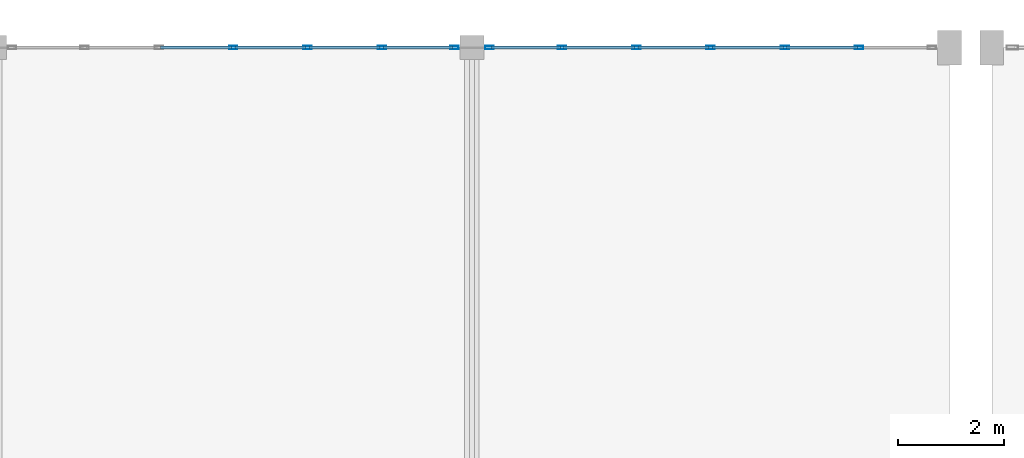
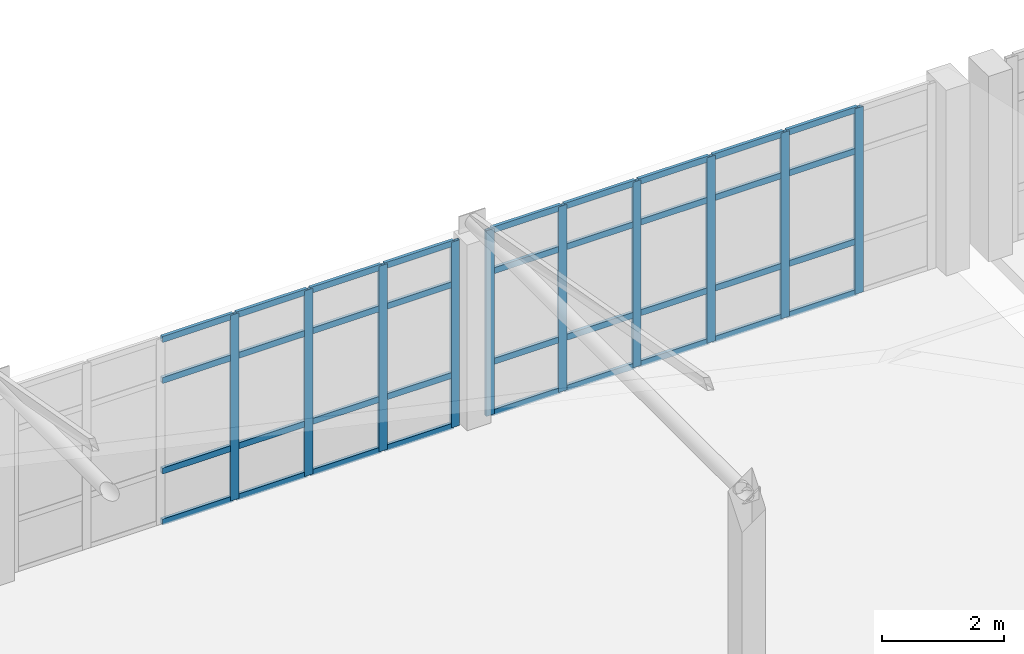
# One storey, part 53 of 156: 46 members, 2 elements without a shape of their own.
"""IFC4 building model written with IfcOpenShell, lengths in metres."""

from ifc_helpers import new_model, si_unit, direction, frame, origin, origin_2d, place, context, subcontext, project, spatial, hollow_rectangle, extrude, material, layer, layer_set, material_profile, profile_set, type_object, element, aggregate, save


model = new_model("IFC4")

# Units and contexts
model_context = context("Model", 3, precision=1e-05, world=origin(), true_north=direction((0.0, 1.0)))
body_context = subcontext(model_context, "Body", "Model", "MODEL_VIEW")
ifc_project = project(units=[si_unit("LENGTHUNIT", "METRE"), si_unit("AREAUNIT", "SQUARE_METRE"), si_unit("VOLUMEUNIT", "CUBIC_METRE"), si_unit("PLANEANGLEUNIT", "RADIAN"), si_unit("MASSUNIT", "GRAM", prefix="KILO")], contexts=[model_context])

# Site, building, storey
site_placement = place(None, origin())
site = spatial("IfcSite", under=ifc_project, at=site_placement, CompositionType="ELEMENT")
building_placement = place(site_placement, origin())
building = spatial("IfcBuilding", under=site, at=building_placement, Name="Ornek Quay Market", CompositionType="ELEMENT")
storey_placement = place(building_placement, frame((0.0, 0.0, 4.5)))
storey = spatial("IfcBuildingStorey", under=building, at=storey_placement, Name="L01", CompositionType="ELEMENT", Elevation=4.5)

# Curtain wall, members
ifc_material_1 = material(Name="Anodised bronze aluminium and triple low-e glass", Category="aluminium")
ifc_layer = layer(ifc_material_1, 0.179931640625, Name="Anodised bronze aluminium and triple low-e glass", Category="aluminium")
ifc_layer_set = layer_set([ifc_layer], Name="Anodised bronze aluminium and triple low-e glass")
curtain_wall_type = type_object("IfcCurtainWallType", Name="CW-CONC-MOD1500", PredefinedType="USERDEFINED", material=ifc_layer_set)
curtain_wall_1_placement = place(storey_placement, origin())
curtain_wall_1 = element("IfcCurtainWall", 1, at=curtain_wall_1_placement, inside=storey, type_object=curtain_wall_type, Name="Curtain wall CW-017", ObjectType="CURTAIN WALL", PredefinedType="USERDEFINED")
ifc_material_2 = material(Name="Anodised aluminium 6063-T6", Category="aluminium")
ifc_material_profile_1 = material_profile(ifc_material_2, hollow_rectangle(XDim=0.06005859375, YDim=0.159912109375, WallThickness=0.00390625, at=origin_2d()), Name="CW-MUL-60x160", Category="aluminium")
ifc_profile_set_1 = profile_set([ifc_material_profile_1], Name="Anodised aluminium 6063-T6")
member_type_1 = type_object("IfcMemberType", Name="CW-MUL-60x160", PredefinedType="MULLION", material=ifc_profile_set_1)
member_1_placement = place(storey_placement, frame((40.5, 110.0, 0.0), z_axis=(0.0, 0.0, 1.0), x_axis=(0.0, 1.0, 0.0)))
member_1 = element("IfcMember", 2, at=member_1_placement, type_object=member_type_1, Name="CW-017 mullion 4", PredefinedType="MULLION", context=body_context, shape_type="SweptSolid", body=[
    extrude(hollow_rectangle(XDim=0.06005859375, YDim=0.159912109375, WallThickness=0.00390625, at=origin_2d()), origin(), (0.0, 0.0, 1.0), 3.7099609375),
])
member_2_placement = place(storey_placement, frame((41.89990234375, 110.0, 0.0), z_axis=(0.0, 0.0, 1.0), x_axis=(0.0, 1.0, 0.0)))
member_2 = element("IfcMember", 3, at=member_2_placement, type_object=member_type_1, Name="CW-017 mullion 5", PredefinedType="MULLION", context=body_context, shape_type="SweptSolid", body=[
    extrude(hollow_rectangle(XDim=0.06005859375, YDim=0.159912109375, WallThickness=0.00390625, at=origin_2d()), origin(), (0.0, 0.0, 1.0), 3.7099609375),
])
member_3_placement = place(storey_placement, frame((43.300048828125, 110.0, 0.0), z_axis=(0.0, 0.0, 1.0), x_axis=(0.0, 1.0, 0.0)))
member_3 = element("IfcMember", 4, at=member_3_placement, type_object=member_type_1, Name="CW-017 mullion 6", PredefinedType="MULLION", context=body_context, shape_type="SweptSolid", body=[
    extrude(hollow_rectangle(XDim=0.06005859375, YDim=0.159912109375, WallThickness=0.00390625, at=origin_2d()), origin(), (0.0, 0.0, 1.0), 3.7099609375),
])
member_4_placement = place(storey_placement, frame((44.669921875, 110.0, 0.0), z_axis=(0.0, 0.0, 1.0), x_axis=(0.0, 1.0, 0.0)))
member_4 = element("IfcMember", 5, at=member_4_placement, type_object=member_type_1, Name="CW-017 mullion 7", PredefinedType="MULLION", context=body_context, shape_type="SweptSolid", body=[
    extrude(hollow_rectangle(XDim=0.06005859375, YDim=0.159912109375, WallThickness=0.00390625, at=origin_2d()), origin(), (0.0, 0.0, 1.0), 3.7099609375),
])

curtain_wall_2_placement = place(storey_placement, origin())
curtain_wall_2 = element("IfcCurtainWall", 6, at=curtain_wall_2_placement, inside=storey, type_object=curtain_wall_type, Name="Curtain wall CW-021", ObjectType="CURTAIN WALL", PredefinedType="USERDEFINED")
member_5_placement = place(storey_placement, frame((45.330078125, 110.0, 0.0), z_axis=(0.0, 0.0, 1.0), x_axis=(0.0, 1.0, 0.0)))
member_5 = element("IfcMember", 7, at=member_5_placement, type_object=member_type_1, Name="CW-021 mullion 1", PredefinedType="MULLION", context=body_context, shape_type="SweptSolid", body=[
    extrude(hollow_rectangle(XDim=0.06005859375, YDim=0.159912109375, WallThickness=0.00390625, at=origin_2d()), origin(), (0.0, 0.0, 1.0), 3.7099609375),
])
member_6_placement = place(storey_placement, frame((46.699951171875, 110.0, 0.0), z_axis=(0.0, 0.0, 1.0), x_axis=(0.0, 1.0, 0.0)))
member_6 = element("IfcMember", 8, at=member_6_placement, type_object=member_type_1, Name="CW-021 mullion 2", PredefinedType="MULLION", context=body_context, shape_type="SweptSolid", body=[
    extrude(hollow_rectangle(XDim=0.06005859375, YDim=0.159912109375, WallThickness=0.00390625, at=origin_2d()), origin(), (0.0, 0.0, 1.0), 3.7099609375),
])
member_7_placement = place(storey_placement, frame((48.10009765625, 110.0, 0.0), z_axis=(0.0, 0.0, 1.0), x_axis=(0.0, 1.0, 0.0)))
member_7 = element("IfcMember", 9, at=member_7_placement, type_object=member_type_1, Name="CW-021 mullion 3", PredefinedType="MULLION", context=body_context, shape_type="SweptSolid", body=[
    extrude(hollow_rectangle(XDim=0.06005859375, YDim=0.159912109375, WallThickness=0.00390625, at=origin_2d()), origin(), (0.0, 0.0, 1.0), 3.7099609375),
])
member_8_placement = place(storey_placement, frame((49.5, 110.0, 0.0), z_axis=(0.0, 0.0, 1.0), x_axis=(0.0, 1.0, 0.0)))
member_8 = element("IfcMember", 10, at=member_8_placement, type_object=member_type_1, Name="CW-021 mullion 4", PredefinedType="MULLION", context=body_context, shape_type="SweptSolid", body=[
    extrude(hollow_rectangle(XDim=0.06005859375, YDim=0.159912109375, WallThickness=0.00390625, at=origin_2d()), origin(), (0.0, 0.0, 1.0), 3.7099609375),
])
member_9_placement = place(storey_placement, frame((50.89990234375, 110.0, 0.0), z_axis=(0.0, 0.0, 1.0), x_axis=(0.0, 1.0, 0.0)))
member_9 = element("IfcMember", 11, at=member_9_placement, type_object=member_type_1, Name="CW-021 mullion 5", PredefinedType="MULLION", context=body_context, shape_type="SweptSolid", body=[
    extrude(hollow_rectangle(XDim=0.06005859375, YDim=0.159912109375, WallThickness=0.00390625, at=origin_2d()), origin(), (0.0, 0.0, 1.0), 3.7099609375),
])
member_10_placement = place(storey_placement, frame((52.300048828125, 110.0, 0.0), z_axis=(0.0, 0.0, 1.0), x_axis=(0.0, 1.0, 0.0)))
member_10 = element("IfcMember", 12, at=member_10_placement, type_object=member_type_1, Name="CW-021 mullion 6", PredefinedType="MULLION", context=body_context, shape_type="SweptSolid", body=[
    extrude(hollow_rectangle(XDim=0.06005859375, YDim=0.159912109375, WallThickness=0.00390625, at=origin_2d()), origin(), (0.0, 0.0, 1.0), 3.7099609375),
])

# Member
ifc_material_profile_2 = material_profile(ifc_material_2, hollow_rectangle(XDim=0.06005859375, YDim=0.1201171875, WallThickness=0.00390625, at=origin_2d()), Name="CW-TRN-60x120", Category="aluminium")
ifc_profile_set_2 = profile_set([ifc_material_profile_2], Name="Anodised aluminium 6063-T6")
member_type_2 = type_object("IfcMemberType", Name="CW-TRN-60x120", PredefinedType="USERDEFINED", material=ifc_profile_set_2)
member_11_placement = place(storey_placement, frame((39.1298828125, 110.0, 0.030029296875), z_axis=(1.0, 0.0, 0.0), x_axis=(0.0, 1.0, 0.0)))
member_11 = element("IfcMember", 13, at=member_11_placement, type_object=member_type_2, Name="CW-017 transom 3.1", ObjectType="TRANSOM", PredefinedType="USERDEFINED", context=body_context, shape_type="SweptSolid", body=[
    extrude(hollow_rectangle(XDim=0.06005859375, YDim=0.1201171875, WallThickness=0.00390625, at=origin_2d()), origin(), (0.0, 0.0, 1.0), 1.340087890625),
])

member_12_placement = place(storey_placement, frame((39.1298828125, 110.0, 1.050048828125), z_axis=(1.0, 0.0, 0.0), x_axis=(0.0, 1.0, 0.0)))
member_12 = element("IfcMember", 14, at=member_12_placement, type_object=member_type_2, Name="CW-017 transom 3.2", ObjectType="TRANSOM", PredefinedType="USERDEFINED", context=body_context, shape_type="SweptSolid", body=[
    extrude(hollow_rectangle(XDim=0.06005859375, YDim=0.1201171875, WallThickness=0.00390625, at=origin_2d()), origin(), (0.0, 0.0, 1.0), 1.340087890625),
])

member_13_placement = place(storey_placement, frame((39.1298828125, 110.0, 2.860107421875), z_axis=(1.0, 0.0, 0.0), x_axis=(0.0, 1.0, 0.0)))
member_13 = element("IfcMember", 15, at=member_13_placement, type_object=member_type_2, Name="CW-017 transom 3.3", ObjectType="TRANSOM", PredefinedType="USERDEFINED", context=body_context, shape_type="SweptSolid", body=[
    extrude(hollow_rectangle(XDim=0.06005859375, YDim=0.1201171875, WallThickness=0.00390625, at=origin_2d()), origin(), (0.0, 0.0, 1.0), 1.340087890625),
])

member_14_placement = place(storey_placement, frame((39.1298828125, 110.0, 3.679931640625), z_axis=(1.0, 0.0, 0.0), x_axis=(0.0, 1.0, 0.0)))
member_14 = element("IfcMember", 16, at=member_14_placement, type_object=member_type_2, Name="CW-017 transom 3.4", ObjectType="TRANSOM", PredefinedType="USERDEFINED", context=body_context, shape_type="SweptSolid", body=[
    extrude(hollow_rectangle(XDim=0.06005859375, YDim=0.1201171875, WallThickness=0.00390625, at=origin_2d()), origin(), (0.0, 0.0, 1.0), 1.340087890625),
])

member_15_placement = place(storey_placement, frame((40.530029296875, 110.0, 0.030029296875), z_axis=(1.0, 0.0, 0.0), x_axis=(0.0, 1.0, 0.0)))
member_15 = element("IfcMember", 17, at=member_15_placement, type_object=member_type_2, Name="CW-017 transom 4.1", ObjectType="TRANSOM", PredefinedType="USERDEFINED", context=body_context, shape_type="SweptSolid", body=[
    extrude(hollow_rectangle(XDim=0.06005859375, YDim=0.1201171875, WallThickness=0.00390625, at=origin_2d()), origin(), (0.0, 0.0, 1.0), 1.340087890625),
])

member_16_placement = place(storey_placement, frame((40.530029296875, 110.0, 1.050048828125), z_axis=(1.0, 0.0, 0.0), x_axis=(0.0, 1.0, 0.0)))
member_16 = element("IfcMember", 18, at=member_16_placement, type_object=member_type_2, Name="CW-017 transom 4.2", ObjectType="TRANSOM", PredefinedType="USERDEFINED", context=body_context, shape_type="SweptSolid", body=[
    extrude(hollow_rectangle(XDim=0.06005859375, YDim=0.1201171875, WallThickness=0.00390625, at=origin_2d()), origin(), (0.0, 0.0, 1.0), 1.340087890625),
])

member_17_placement = place(storey_placement, frame((40.530029296875, 110.0, 2.860107421875), z_axis=(1.0, 0.0, 0.0), x_axis=(0.0, 1.0, 0.0)))
member_17 = element("IfcMember", 19, at=member_17_placement, type_object=member_type_2, Name="CW-017 transom 4.3", ObjectType="TRANSOM", PredefinedType="USERDEFINED", context=body_context, shape_type="SweptSolid", body=[
    extrude(hollow_rectangle(XDim=0.06005859375, YDim=0.1201171875, WallThickness=0.00390625, at=origin_2d()), origin(), (0.0, 0.0, 1.0), 1.340087890625),
])

member_18_placement = place(storey_placement, frame((40.530029296875, 110.0, 3.679931640625), z_axis=(1.0, 0.0, 0.0), x_axis=(0.0, 1.0, 0.0)))
member_18 = element("IfcMember", 20, at=member_18_placement, type_object=member_type_2, Name="CW-017 transom 4.4", ObjectType="TRANSOM", PredefinedType="USERDEFINED", context=body_context, shape_type="SweptSolid", body=[
    extrude(hollow_rectangle(XDim=0.06005859375, YDim=0.1201171875, WallThickness=0.00390625, at=origin_2d()), origin(), (0.0, 0.0, 1.0), 1.340087890625),
])

member_19_placement = place(storey_placement, frame((41.929931640625, 110.0, 0.030029296875), z_axis=(1.0, 0.0, 0.0), x_axis=(0.0, 1.0, 0.0)))
member_19 = element("IfcMember", 21, at=member_19_placement, type_object=member_type_2, Name="CW-017 transom 5.1", ObjectType="TRANSOM", PredefinedType="USERDEFINED", context=body_context, shape_type="SweptSolid", body=[
    extrude(hollow_rectangle(XDim=0.06005859375, YDim=0.1201171875, WallThickness=0.00390625, at=origin_2d()), origin(), (0.0, 0.0, 1.0), 1.340087890625),
])

member_20_placement = place(storey_placement, frame((41.929931640625, 110.0, 1.050048828125), z_axis=(1.0, 0.0, 0.0), x_axis=(0.0, 1.0, 0.0)))
member_20 = element("IfcMember", 22, at=member_20_placement, type_object=member_type_2, Name="CW-017 transom 5.2", ObjectType="TRANSOM", PredefinedType="USERDEFINED", context=body_context, shape_type="SweptSolid", body=[
    extrude(hollow_rectangle(XDim=0.06005859375, YDim=0.1201171875, WallThickness=0.00390625, at=origin_2d()), origin(), (0.0, 0.0, 1.0), 1.340087890625),
])

member_21_placement = place(storey_placement, frame((41.929931640625, 110.0, 2.860107421875), z_axis=(1.0, 0.0, 0.0), x_axis=(0.0, 1.0, 0.0)))
member_21 = element("IfcMember", 23, at=member_21_placement, type_object=member_type_2, Name="CW-017 transom 5.3", ObjectType="TRANSOM", PredefinedType="USERDEFINED", context=body_context, shape_type="SweptSolid", body=[
    extrude(hollow_rectangle(XDim=0.06005859375, YDim=0.1201171875, WallThickness=0.00390625, at=origin_2d()), origin(), (0.0, 0.0, 1.0), 1.340087890625),
])

member_22_placement = place(storey_placement, frame((41.929931640625, 110.0, 3.679931640625), z_axis=(1.0, 0.0, 0.0), x_axis=(0.0, 1.0, 0.0)))
member_22 = element("IfcMember", 24, at=member_22_placement, type_object=member_type_2, Name="CW-017 transom 5.4", ObjectType="TRANSOM", PredefinedType="USERDEFINED", context=body_context, shape_type="SweptSolid", body=[
    extrude(hollow_rectangle(XDim=0.06005859375, YDim=0.1201171875, WallThickness=0.00390625, at=origin_2d()), origin(), (0.0, 0.0, 1.0), 1.340087890625),
])

member_23_placement = place(storey_placement, frame((43.330078125, 110.0, 0.030029296875), z_axis=(1.0, 0.0, 0.0), x_axis=(0.0, 1.0, 0.0)))
member_23 = element("IfcMember", 25, at=member_23_placement, type_object=member_type_2, Name="CW-017 transom 6.1", ObjectType="TRANSOM", PredefinedType="USERDEFINED", context=body_context, shape_type="SweptSolid", body=[
    extrude(hollow_rectangle(XDim=0.06005859375, YDim=0.1201171875, WallThickness=0.00390625, at=origin_2d()), origin(), (0.0, 0.0, 1.0), 1.309814453125),
])

member_24_placement = place(storey_placement, frame((43.330078125, 110.0, 1.050048828125), z_axis=(1.0, 0.0, 0.0), x_axis=(0.0, 1.0, 0.0)))
member_24 = element("IfcMember", 26, at=member_24_placement, type_object=member_type_2, Name="CW-017 transom 6.2", ObjectType="TRANSOM", PredefinedType="USERDEFINED", context=body_context, shape_type="SweptSolid", body=[
    extrude(hollow_rectangle(XDim=0.06005859375, YDim=0.1201171875, WallThickness=0.00390625, at=origin_2d()), origin(), (0.0, 0.0, 1.0), 1.309814453125),
])

member_25_placement = place(storey_placement, frame((43.330078125, 110.0, 2.860107421875), z_axis=(1.0, 0.0, 0.0), x_axis=(0.0, 1.0, 0.0)))
member_25 = element("IfcMember", 27, at=member_25_placement, type_object=member_type_2, Name="CW-017 transom 6.3", ObjectType="TRANSOM", PredefinedType="USERDEFINED", context=body_context, shape_type="SweptSolid", body=[
    extrude(hollow_rectangle(XDim=0.06005859375, YDim=0.1201171875, WallThickness=0.00390625, at=origin_2d()), origin(), (0.0, 0.0, 1.0), 1.309814453125),
])

member_26_placement = place(storey_placement, frame((43.330078125, 110.0, 3.679931640625), z_axis=(1.0, 0.0, 0.0), x_axis=(0.0, 1.0, 0.0)))
member_26 = element("IfcMember", 28, at=member_26_placement, type_object=member_type_2, Name="CW-017 transom 6.4", ObjectType="TRANSOM", PredefinedType="USERDEFINED", context=body_context, shape_type="SweptSolid", body=[
    extrude(hollow_rectangle(XDim=0.06005859375, YDim=0.1201171875, WallThickness=0.00390625, at=origin_2d()), origin(), (0.0, 0.0, 1.0), 1.309814453125),
])

aggregate(curtain_wall_1, [member_1, member_2, member_3, member_4, member_11, member_12, member_13, member_14, member_15, member_16, member_17, member_18, member_19, member_20, member_21, member_22, member_23, member_24, member_25, member_26])

member_27_placement = place(storey_placement, frame((45.360107421875, 110.0, 0.030029296875), z_axis=(1.0, 0.0, 0.0), x_axis=(0.0, 1.0, 0.0)))
member_27 = element("IfcMember", 29, at=member_27_placement, type_object=member_type_2, Name="CW-021 transom 1.1", ObjectType="TRANSOM", PredefinedType="USERDEFINED", context=body_context, shape_type="SweptSolid", body=[
    extrude(hollow_rectangle(XDim=0.06005859375, YDim=0.1201171875, WallThickness=0.00390625, at=origin_2d()), origin(), (0.0, 0.0, 1.0), 1.309814453125),
])

member_28_placement = place(storey_placement, frame((45.360107421875, 110.0, 1.050048828125), z_axis=(1.0, 0.0, 0.0), x_axis=(0.0, 1.0, 0.0)))
member_28 = element("IfcMember", 30, at=member_28_placement, type_object=member_type_2, Name="CW-021 transom 1.2", ObjectType="TRANSOM", PredefinedType="USERDEFINED", context=body_context, shape_type="SweptSolid", body=[
    extrude(hollow_rectangle(XDim=0.06005859375, YDim=0.1201171875, WallThickness=0.00390625, at=origin_2d()), origin(), (0.0, 0.0, 1.0), 1.309814453125),
])

member_29_placement = place(storey_placement, frame((45.360107421875, 110.0, 2.860107421875), z_axis=(1.0, 0.0, 0.0), x_axis=(0.0, 1.0, 0.0)))
member_29 = element("IfcMember", 31, at=member_29_placement, type_object=member_type_2, Name="CW-021 transom 1.3", ObjectType="TRANSOM", PredefinedType="USERDEFINED", context=body_context, shape_type="SweptSolid", body=[
    extrude(hollow_rectangle(XDim=0.06005859375, YDim=0.1201171875, WallThickness=0.00390625, at=origin_2d()), origin(), (0.0, 0.0, 1.0), 1.309814453125),
])

member_30_placement = place(storey_placement, frame((45.360107421875, 110.0, 3.679931640625), z_axis=(1.0, 0.0, 0.0), x_axis=(0.0, 1.0, 0.0)))
member_30 = element("IfcMember", 32, at=member_30_placement, type_object=member_type_2, Name="CW-021 transom 1.4", ObjectType="TRANSOM", PredefinedType="USERDEFINED", context=body_context, shape_type="SweptSolid", body=[
    extrude(hollow_rectangle(XDim=0.06005859375, YDim=0.1201171875, WallThickness=0.00390625, at=origin_2d()), origin(), (0.0, 0.0, 1.0), 1.309814453125),
])

member_31_placement = place(storey_placement, frame((46.72998046875, 110.0, 0.030029296875), z_axis=(1.0, 0.0, 0.0), x_axis=(0.0, 1.0, 0.0)))
member_31 = element("IfcMember", 33, at=member_31_placement, type_object=member_type_2, Name="CW-021 transom 2.1", ObjectType="TRANSOM", PredefinedType="USERDEFINED", context=body_context, shape_type="SweptSolid", body=[
    extrude(hollow_rectangle(XDim=0.06005859375, YDim=0.1201171875, WallThickness=0.00390625, at=origin_2d()), origin(), (0.0, 0.0, 1.0), 1.340087890625),
])

member_32_placement = place(storey_placement, frame((46.72998046875, 110.0, 1.050048828125), z_axis=(1.0, 0.0, 0.0), x_axis=(0.0, 1.0, 0.0)))
member_32 = element("IfcMember", 34, at=member_32_placement, type_object=member_type_2, Name="CW-021 transom 2.2", ObjectType="TRANSOM", PredefinedType="USERDEFINED", context=body_context, shape_type="SweptSolid", body=[
    extrude(hollow_rectangle(XDim=0.06005859375, YDim=0.1201171875, WallThickness=0.00390625, at=origin_2d()), origin(), (0.0, 0.0, 1.0), 1.340087890625),
])

member_33_placement = place(storey_placement, frame((46.72998046875, 110.0, 2.860107421875), z_axis=(1.0, 0.0, 0.0), x_axis=(0.0, 1.0, 0.0)))
member_33 = element("IfcMember", 35, at=member_33_placement, type_object=member_type_2, Name="CW-021 transom 2.3", ObjectType="TRANSOM", PredefinedType="USERDEFINED", context=body_context, shape_type="SweptSolid", body=[
    extrude(hollow_rectangle(XDim=0.06005859375, YDim=0.1201171875, WallThickness=0.00390625, at=origin_2d()), origin(), (0.0, 0.0, 1.0), 1.340087890625),
])

member_34_placement = place(storey_placement, frame((46.72998046875, 110.0, 3.679931640625), z_axis=(1.0, 0.0, 0.0), x_axis=(0.0, 1.0, 0.0)))
member_34 = element("IfcMember", 36, at=member_34_placement, type_object=member_type_2, Name="CW-021 transom 2.4", ObjectType="TRANSOM", PredefinedType="USERDEFINED", context=body_context, shape_type="SweptSolid", body=[
    extrude(hollow_rectangle(XDim=0.06005859375, YDim=0.1201171875, WallThickness=0.00390625, at=origin_2d()), origin(), (0.0, 0.0, 1.0), 1.340087890625),
])

member_35_placement = place(storey_placement, frame((48.1298828125, 110.0, 0.030029296875), z_axis=(1.0, 0.0, 0.0), x_axis=(0.0, 1.0, 0.0)))
member_35 = element("IfcMember", 37, at=member_35_placement, type_object=member_type_2, Name="CW-021 transom 3.1", ObjectType="TRANSOM", PredefinedType="USERDEFINED", context=body_context, shape_type="SweptSolid", body=[
    extrude(hollow_rectangle(XDim=0.06005859375, YDim=0.1201171875, WallThickness=0.00390625, at=origin_2d()), origin(), (0.0, 0.0, 1.0), 1.340087890625),
])

member_36_placement = place(storey_placement, frame((48.1298828125, 110.0, 1.050048828125), z_axis=(1.0, 0.0, 0.0), x_axis=(0.0, 1.0, 0.0)))
member_36 = element("IfcMember", 38, at=member_36_placement, type_object=member_type_2, Name="CW-021 transom 3.2", ObjectType="TRANSOM", PredefinedType="USERDEFINED", context=body_context, shape_type="SweptSolid", body=[
    extrude(hollow_rectangle(XDim=0.06005859375, YDim=0.1201171875, WallThickness=0.00390625, at=origin_2d()), origin(), (0.0, 0.0, 1.0), 1.340087890625),
])

member_37_placement = place(storey_placement, frame((48.1298828125, 110.0, 2.860107421875), z_axis=(1.0, 0.0, 0.0), x_axis=(0.0, 1.0, 0.0)))
member_37 = element("IfcMember", 39, at=member_37_placement, type_object=member_type_2, Name="CW-021 transom 3.3", ObjectType="TRANSOM", PredefinedType="USERDEFINED", context=body_context, shape_type="SweptSolid", body=[
    extrude(hollow_rectangle(XDim=0.06005859375, YDim=0.1201171875, WallThickness=0.00390625, at=origin_2d()), origin(), (0.0, 0.0, 1.0), 1.340087890625),
])

member_38_placement = place(storey_placement, frame((48.1298828125, 110.0, 3.679931640625), z_axis=(1.0, 0.0, 0.0), x_axis=(0.0, 1.0, 0.0)))
member_38 = element("IfcMember", 40, at=member_38_placement, type_object=member_type_2, Name="CW-021 transom 3.4", ObjectType="TRANSOM", PredefinedType="USERDEFINED", context=body_context, shape_type="SweptSolid", body=[
    extrude(hollow_rectangle(XDim=0.06005859375, YDim=0.1201171875, WallThickness=0.00390625, at=origin_2d()), origin(), (0.0, 0.0, 1.0), 1.340087890625),
])

member_39_placement = place(storey_placement, frame((49.530029296875, 110.0, 0.030029296875), z_axis=(1.0, 0.0, 0.0), x_axis=(0.0, 1.0, 0.0)))
member_39 = element("IfcMember", 41, at=member_39_placement, type_object=member_type_2, Name="CW-021 transom 4.1", ObjectType="TRANSOM", PredefinedType="USERDEFINED", context=body_context, shape_type="SweptSolid", body=[
    extrude(hollow_rectangle(XDim=0.06005859375, YDim=0.1201171875, WallThickness=0.00390625, at=origin_2d()), origin(), (0.0, 0.0, 1.0), 1.340087890625),
])

member_40_placement = place(storey_placement, frame((49.530029296875, 110.0, 1.050048828125), z_axis=(1.0, 0.0, 0.0), x_axis=(0.0, 1.0, 0.0)))
member_40 = element("IfcMember", 42, at=member_40_placement, type_object=member_type_2, Name="CW-021 transom 4.2", ObjectType="TRANSOM", PredefinedType="USERDEFINED", context=body_context, shape_type="SweptSolid", body=[
    extrude(hollow_rectangle(XDim=0.06005859375, YDim=0.1201171875, WallThickness=0.00390625, at=origin_2d()), origin(), (0.0, 0.0, 1.0), 1.340087890625),
])

member_41_placement = place(storey_placement, frame((49.530029296875, 110.0, 2.860107421875), z_axis=(1.0, 0.0, 0.0), x_axis=(0.0, 1.0, 0.0)))
member_41 = element("IfcMember", 43, at=member_41_placement, type_object=member_type_2, Name="CW-021 transom 4.3", ObjectType="TRANSOM", PredefinedType="USERDEFINED", context=body_context, shape_type="SweptSolid", body=[
    extrude(hollow_rectangle(XDim=0.06005859375, YDim=0.1201171875, WallThickness=0.00390625, at=origin_2d()), origin(), (0.0, 0.0, 1.0), 1.340087890625),
])

member_42_placement = place(storey_placement, frame((49.530029296875, 110.0, 3.679931640625), z_axis=(1.0, 0.0, 0.0), x_axis=(0.0, 1.0, 0.0)))
member_42 = element("IfcMember", 44, at=member_42_placement, type_object=member_type_2, Name="CW-021 transom 4.4", ObjectType="TRANSOM", PredefinedType="USERDEFINED", context=body_context, shape_type="SweptSolid", body=[
    extrude(hollow_rectangle(XDim=0.06005859375, YDim=0.1201171875, WallThickness=0.00390625, at=origin_2d()), origin(), (0.0, 0.0, 1.0), 1.340087890625),
])

member_43_placement = place(storey_placement, frame((50.929931640625, 110.0, 0.030029296875), z_axis=(1.0, 0.0, 0.0), x_axis=(0.0, 1.0, 0.0)))
member_43 = element("IfcMember", 45, at=member_43_placement, type_object=member_type_2, Name="CW-021 transom 5.1", ObjectType="TRANSOM", PredefinedType="USERDEFINED", context=body_context, shape_type="SweptSolid", body=[
    extrude(hollow_rectangle(XDim=0.06005859375, YDim=0.1201171875, WallThickness=0.00390625, at=origin_2d()), origin(), (0.0, 0.0, 1.0), 1.340087890625),
])

member_44_placement = place(storey_placement, frame((50.929931640625, 110.0, 1.050048828125), z_axis=(1.0, 0.0, 0.0), x_axis=(0.0, 1.0, 0.0)))
member_44 = element("IfcMember", 46, at=member_44_placement, type_object=member_type_2, Name="CW-021 transom 5.2", ObjectType="TRANSOM", PredefinedType="USERDEFINED", context=body_context, shape_type="SweptSolid", body=[
    extrude(hollow_rectangle(XDim=0.06005859375, YDim=0.1201171875, WallThickness=0.00390625, at=origin_2d()), origin(), (0.0, 0.0, 1.0), 1.340087890625),
])

member_45_placement = place(storey_placement, frame((50.929931640625, 110.0, 2.860107421875), z_axis=(1.0, 0.0, 0.0), x_axis=(0.0, 1.0, 0.0)))
member_45 = element("IfcMember", 47, at=member_45_placement, type_object=member_type_2, Name="CW-021 transom 5.3", ObjectType="TRANSOM", PredefinedType="USERDEFINED", context=body_context, shape_type="SweptSolid", body=[
    extrude(hollow_rectangle(XDim=0.06005859375, YDim=0.1201171875, WallThickness=0.00390625, at=origin_2d()), origin(), (0.0, 0.0, 1.0), 1.340087890625),
])

member_46_placement = place(storey_placement, frame((50.929931640625, 110.0, 3.679931640625), z_axis=(1.0, 0.0, 0.0), x_axis=(0.0, 1.0, 0.0)))
member_46 = element("IfcMember", 48, at=member_46_placement, type_object=member_type_2, Name="CW-021 transom 5.4", ObjectType="TRANSOM", PredefinedType="USERDEFINED", context=body_context, shape_type="SweptSolid", body=[
    extrude(hollow_rectangle(XDim=0.06005859375, YDim=0.1201171875, WallThickness=0.00390625, at=origin_2d()), origin(), (0.0, 0.0, 1.0), 1.340087890625),
])

aggregate(curtain_wall_2, [member_5, member_6, member_7, member_8, member_9, member_10, member_27, member_28, member_29, member_30, member_31, member_32, member_33, member_34, member_35, member_36, member_37, member_38, member_39, member_40, member_41, member_42, member_43, member_44, member_45, member_46])

save(model, "model.ifc")
